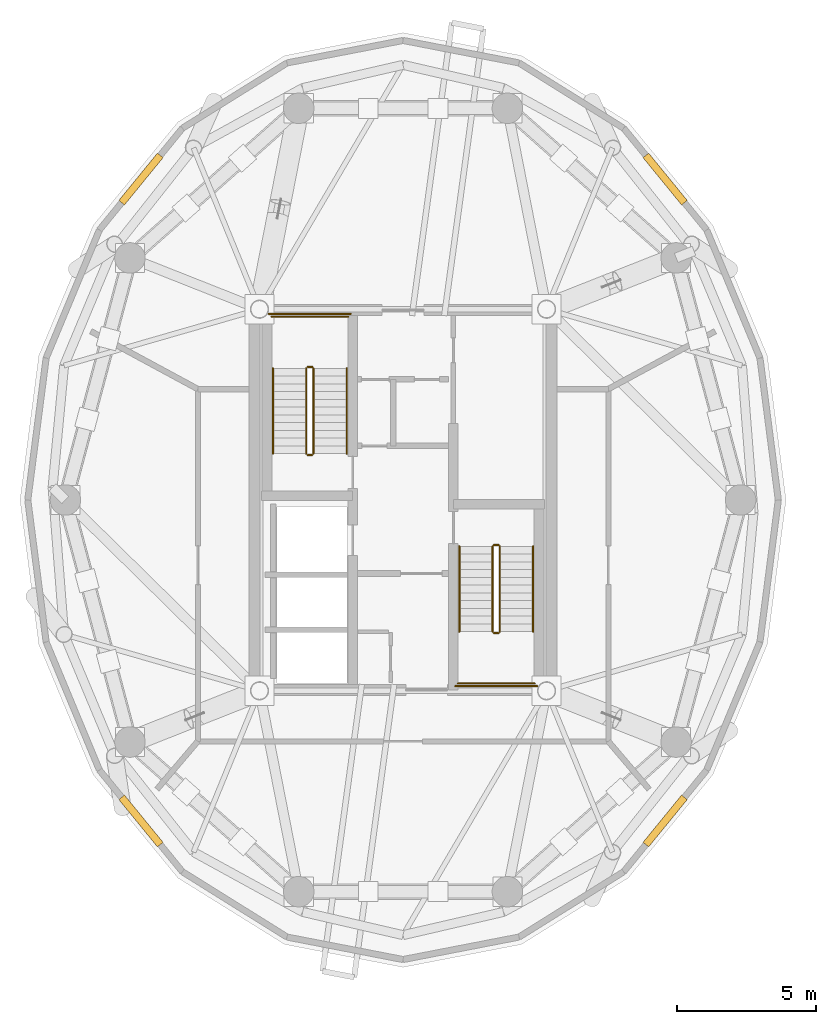
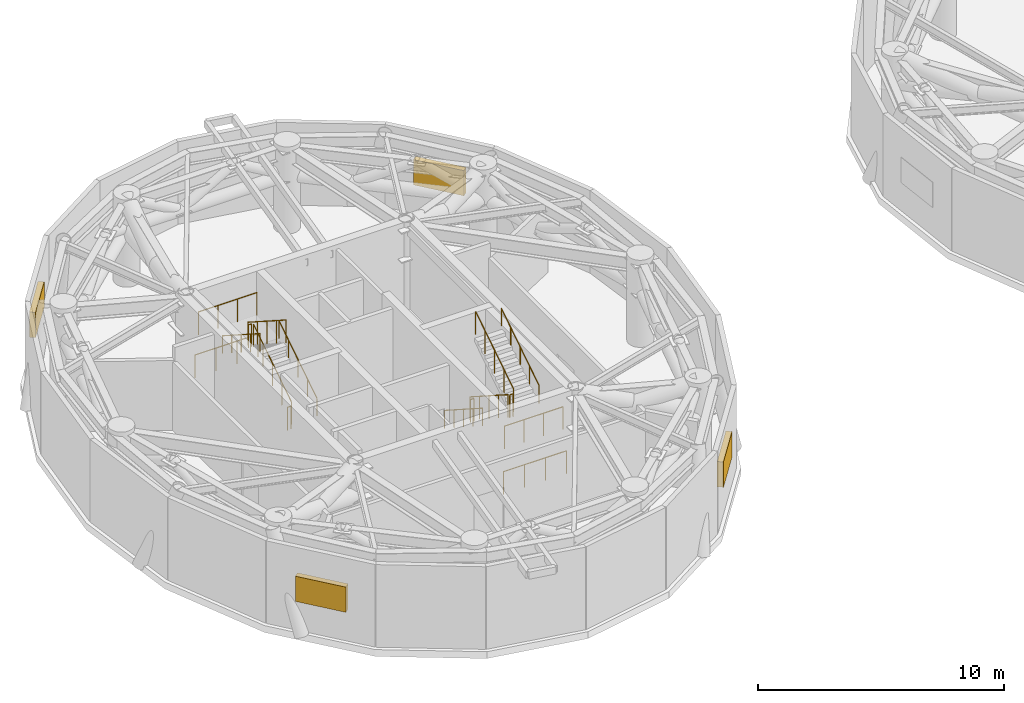
# One storey, part 12 of 14: 16 railings, 4 coverings.
"""IFC4 building model written with IfcOpenShell, lengths in metres."""

from ifc_helpers import new_model, si_unit, direction, frame, origin, origin_2d, place, context, subcontext, project, spatial, rectangle, circle, extrude, source, transform, mapped, material, type_object, element, save


model = new_model("IFC4")

# Units and contexts
model_context = context("Model", 3, precision=1e-05, world=origin(), true_north=direction((0.0, 1.0)))
body_context = subcontext(model_context, "Body", "Model", "MODEL_VIEW")
ifc_project = project(units=[si_unit("LENGTHUNIT", "METRE"), si_unit("AREAUNIT", "SQUARE_METRE"), si_unit("VOLUMEUNIT", "CUBIC_METRE"), si_unit("PLANEANGLEUNIT", "RADIAN"), si_unit("MASSUNIT", "GRAM", prefix="KILO")], contexts=[model_context])

# Site, building, storey
site_placement = place(None, origin())
site = spatial("IfcSite", under=ifc_project, at=site_placement, CompositionType="ELEMENT")
building_placement = place(site_placement, origin())
building = spatial("IfcBuilding", under=site, at=building_placement, Name="Cununo Teusaquillo Station Towers", CompositionType="ELEMENT")
storey_placement = place(building_placement, frame((0.0, 0.0, 192.340087890625)))
storey = spatial("IfcBuildingStorey", under=building, at=storey_placement, Name="L61", CompositionType="ELEMENT", Elevation=192.340087890625)

# Railings
ifc_material_1 = material(Name="Steel EN 10025-2 S355J2", Category="steel")
railing_type_1 = type_object("IfcRailingType", Name="RL-INT-GUARD", PredefinedType="GUARDRAIL", material=ifc_material_1)
railing_1_placement = place(storey_placement, frame((13.27001953125, 26.169921875, 0.179931640625)))
element("IfcRailing", 1, at=railing_1_placement, inside=storey, type_object=railing_type_1, Name="L61 ST-T1-1 stair guard 1", PredefinedType="GUARDRAIL", context=body_context, shape_type="SweptSolid", body=[
    extrude(circle(Radius=0.02392578125, at=origin_2d()), frame((0.0, 0.0, 1.1259765625), z_axis=(0.0, 0.84118714077, 0.540744111576), x_axis=(-1.0, 0.0, 0.0)), (0.0, 0.0, 1.0), 3.66162109375),
    extrude(circle(Radius=0.02099609375, at=origin_2d()), origin(), (0.0, 0.0, 1.0), 1.101806640625),
    extrude(circle(Radius=0.02099609375, at=origin_2d()), frame((0.0, 0.77001953125, 0.4951171875)), (0.0, 0.0, 1.0), 1.101806640625),
    extrude(circle(Radius=0.02099609375, at=origin_2d()), frame((0.0, 1.5400390625, 0.989990234375)), (0.0, 0.0, 1.0), 1.101806640625),
    extrude(circle(Radius=0.02099609375, at=origin_2d()), frame((0.0, 2.31005859375, 1.48486328125)), (0.0, 0.0, 1.0), 1.101806640625),
    extrude(circle(Radius=0.02099609375, at=origin_2d()), frame((0.0, 3.080078125, 1.97998046875)), (0.0, 0.0, 1.0), 1.101806640625),
])
railing_2_placement = place(storey_placement, frame((13.219970703125, 29.300048828125, 2.159912109375)))
element("IfcRailing", 2, at=railing_2_placement, inside=storey, type_object=railing_type_1, Name="L61 ST-T1-1 stair guard 2", PredefinedType="GUARDRAIL", context=body_context, shape_type="SweptSolid", body=[
    extrude(circle(Radius=0.02392578125, at=origin_2d()), frame((0.0, 0.0, 1.1259765625), z_axis=(-1.0, 0.0, 0.0), x_axis=(0.0, -1.0, 0.0)), (0.0, 0.0, 1.0), 0.159912109375),
    extrude(circle(Radius=0.02099609375, at=origin_2d()), origin(), (0.0, 0.0, 1.0), 1.101806640625),
    extrude(circle(Radius=0.02099609375, at=origin_2d()), frame((-0.159912109375, 0.0, 0.0)), (0.0, 0.0, 1.0), 1.101806640625),
])
railing_3_placement = place(storey_placement, frame((14.52001953125, 31.110107421875, 2.159912109375)))
element("IfcRailing", 3, at=railing_3_placement, inside=storey, type_object=railing_type_1, Name="L61 ST-T1-1 stair guard 3", PredefinedType="GUARDRAIL", context=body_context, shape_type="SweptSolid", body=[
    extrude(circle(Radius=0.02392578125, at=origin_2d()), frame((0.0, 0.0, 1.1259765625), z_axis=(-1.0, 0.0, 0.0), x_axis=(0.0, -1.0, 0.0)), (0.0, 0.0, 1.0), 2.760009765625),
    extrude(circle(Radius=0.02099609375, at=origin_2d()), origin(), (0.0, 0.0, 1.0), 1.101806640625),
    extrude(circle(Radius=0.02099609375, at=origin_2d()), frame((-0.919921875, 0.0, 0.0)), (0.0, 0.0, 1.0), 1.101806640625),
    extrude(circle(Radius=0.02099609375, at=origin_2d()), frame((-1.840087890625, 0.0, 0.0)), (0.0, 0.0, 1.0), 1.101806640625),
    extrude(circle(Radius=0.02099609375, at=origin_2d()), frame((-2.760009765625, 0.0, 0.0)), (0.0, 0.0, 1.0), 1.101806640625),
])
railing_4_placement = place(storey_placement, frame((13.010009765625, 29.25, 2.33984375)))
element("IfcRailing", 4, at=railing_4_placement, inside=storey, type_object=railing_type_1, Name="L61 ST-T1-1 stair guard 4", PredefinedType="GUARDRAIL", context=body_context, shape_type="SweptSolid", body=[
    extrude(circle(Radius=0.02392578125, at=origin_2d()), frame((0.0, 0.0, 1.1259765625), z_axis=(0.0, -0.84118714077, 0.540744111576), x_axis=(1.0, 0.0, 0.0)), (0.0, 0.0, 1.0), 3.66162109375),
    extrude(circle(Radius=0.02099609375, at=origin_2d()), origin(), (0.0, 0.0, 1.0), 1.101806640625),
    extrude(circle(Radius=0.02099609375, at=origin_2d()), frame((0.0, -0.77001953125, 0.4951171875)), (0.0, 0.0, 1.0), 1.101806640625),
    extrude(circle(Radius=0.02099609375, at=origin_2d()), frame((0.0, -1.5400390625, 0.989990234375)), (0.0, 0.0, 1.0), 1.101806640625),
    extrude(circle(Radius=0.02099609375, at=origin_2d()), frame((0.0, -2.31005859375, 1.48486328125)), (0.0, 0.0, 1.0), 1.101806640625),
    extrude(circle(Radius=0.02099609375, at=origin_2d()), frame((0.0, -3.080078125, 1.97998046875)), (0.0, 0.0, 1.0), 1.101806640625),
])
railing_5_placement = place(storey_placement, frame((13.219970703125, 26.1201171875, 0.0)))
element("IfcRailing", 5, at=railing_5_placement, inside=storey, type_object=railing_type_1, Name="L61 ST-T1-1 stair guard 5", PredefinedType="GUARDRAIL", context=body_context, shape_type="SweptSolid", body=[
    extrude(circle(Radius=0.02392578125, at=origin_2d()), frame((0.0, 0.0, 1.1259765625), z_axis=(-1.0, 0.0, 0.0), x_axis=(0.0, -1.0, 0.0)), (0.0, 0.0, 1.0), 0.159912109375),
    extrude(circle(Radius=0.02099609375, at=origin_2d()), origin(), (0.0, 0.0, 1.0), 1.101806640625),
    extrude(circle(Radius=0.02099609375, at=origin_2d()), frame((-0.159912109375, 0.0, 0.0)), (0.0, 0.0, 1.0), 1.101806640625),
])
railing_6_placement = place(storey_placement, frame((14.6201171875, 31.2099609375, 0.0)))
element("IfcRailing", 6, at=railing_6_placement, inside=storey, type_object=railing_type_1, Name="L61 ST-T1-1 stair guard 6", PredefinedType="GUARDRAIL", context=body_context, shape_type="SweptSolid", body=[
    extrude(circle(Radius=0.02392578125, at=origin_2d()), frame((0.0, 0.0, 1.1259765625), z_axis=(-1.0, 0.0, 0.0), x_axis=(0.0, -1.0, 0.0)), (0.0, 0.0, 1.0), 2.960205078125),
    extrude(circle(Radius=0.02099609375, at=origin_2d()), origin(), (0.0, 0.0, 1.0), 1.101806640625),
    extrude(circle(Radius=0.02099609375, at=origin_2d()), frame((-0.98681640625, 0.0, 0.0)), (0.0, 0.0, 1.0), 1.101806640625),
    extrude(circle(Radius=0.02099609375, at=origin_2d()), frame((-1.973388671875, 0.0, 0.0)), (0.0, 0.0, 1.0), 1.101806640625),
    extrude(circle(Radius=0.02099609375, at=origin_2d()), frame((-2.960205078125, 0.0, 0.0)), (0.0, 0.0, 1.0), 1.101806640625),
])
railing_7_placement = place(storey_placement, frame((19.72998046875, 22.830078125, 0.179931640625)))
element("IfcRailing", 7, at=railing_7_placement, inside=storey, type_object=railing_type_1, Name="L61 ST-T1-2 stair guard 1", PredefinedType="GUARDRAIL", context=body_context, shape_type="SweptSolid", body=[
    extrude(circle(Radius=0.02392578125, at=origin_2d()), frame((0.0, 0.0, 1.1259765625), z_axis=(0.0, -0.84118714077, 0.540744111576), x_axis=(1.0, 0.0, 0.0)), (0.0, 0.0, 1.0), 3.66162109375),
    extrude(circle(Radius=0.02099609375, at=origin_2d()), origin(), (0.0, 0.0, 1.0), 1.101806640625),
    extrude(circle(Radius=0.02099609375, at=origin_2d()), frame((0.0, -0.77001953125, 0.4951171875)), (0.0, 0.0, 1.0), 1.101806640625),
    extrude(circle(Radius=0.02099609375, at=origin_2d()), frame((0.0, -1.5400390625, 0.989990234375)), (0.0, 0.0, 1.0), 1.101806640625),
    extrude(circle(Radius=0.02099609375, at=origin_2d()), frame((0.0, -2.31005859375, 1.48486328125)), (0.0, 0.0, 1.0), 1.101806640625),
    extrude(circle(Radius=0.02099609375, at=origin_2d()), frame((0.0, -3.080078125, 1.97998046875)), (0.0, 0.0, 1.0), 1.101806640625),
])
railing_8_placement = place(storey_placement, frame((19.780029296875, 19.699951171875, 2.159912109375)))
element("IfcRailing", 8, at=railing_8_placement, inside=storey, type_object=railing_type_1, Name="L61 ST-T1-2 stair guard 2", PredefinedType="GUARDRAIL", context=body_context, shape_type="SweptSolid", body=[
    extrude(circle(Radius=0.02392578125, at=origin_2d()), frame((0.0, 0.0, 1.1259765625), z_axis=(1.0, 0.0, 0.0), x_axis=(0.0, 1.0, 0.0)), (0.0, 0.0, 1.0), 0.159912109375),
    extrude(circle(Radius=0.02099609375, at=origin_2d()), origin(), (0.0, 0.0, 1.0), 1.101806640625),
    extrude(circle(Radius=0.02099609375, at=origin_2d()), frame((0.159912109375, 0.0, 0.0)), (0.0, 0.0, 1.0), 1.101806640625),
])
railing_9_placement = place(storey_placement, frame((18.47998046875, 17.889892578125, 2.159912109375)))
element("IfcRailing", 9, at=railing_9_placement, inside=storey, type_object=railing_type_1, Name="L61 ST-T1-2 stair guard 3", PredefinedType="GUARDRAIL", context=body_context, shape_type="SweptSolid", body=[
    extrude(circle(Radius=0.02392578125, at=origin_2d()), frame((0.0, 0.0, 1.1259765625), z_axis=(1.0, 0.0, 0.0), x_axis=(0.0, 1.0, 0.0)), (0.0, 0.0, 1.0), 2.760009765625),
    extrude(circle(Radius=0.02099609375, at=origin_2d()), origin(), (0.0, 0.0, 1.0), 1.101806640625),
    extrude(circle(Radius=0.02099609375, at=origin_2d()), frame((0.919921875, 0.0, 0.0)), (0.0, 0.0, 1.0), 1.101806640625),
    extrude(circle(Radius=0.02099609375, at=origin_2d()), frame((1.840087890625, 0.0, 0.0)), (0.0, 0.0, 1.0), 1.101806640625),
    extrude(circle(Radius=0.02099609375, at=origin_2d()), frame((2.760009765625, 0.0, 0.0)), (0.0, 0.0, 1.0), 1.101806640625),
])
railing_10_placement = place(storey_placement, frame((19.989990234375, 19.75, 2.33984375)))
element("IfcRailing", 10, at=railing_10_placement, inside=storey, type_object=railing_type_1, Name="L61 ST-T1-2 stair guard 4", PredefinedType="GUARDRAIL", context=body_context, shape_type="SweptSolid", body=[
    extrude(circle(Radius=0.02392578125, at=origin_2d()), frame((0.0, 0.0, 1.1259765625), z_axis=(0.0, 0.84118714077, 0.540744111576), x_axis=(-1.0, 0.0, 0.0)), (0.0, 0.0, 1.0), 3.66162109375),
    extrude(circle(Radius=0.02099609375, at=origin_2d()), origin(), (0.0, 0.0, 1.0), 1.101806640625),
    extrude(circle(Radius=0.02099609375, at=origin_2d()), frame((0.0, 0.77001953125, 0.4951171875)), (0.0, 0.0, 1.0), 1.101806640625),
    extrude(circle(Radius=0.02099609375, at=origin_2d()), frame((0.0, 1.5400390625, 0.989990234375)), (0.0, 0.0, 1.0), 1.101806640625),
    extrude(circle(Radius=0.02099609375, at=origin_2d()), frame((0.0, 2.31005859375, 1.48486328125)), (0.0, 0.0, 1.0), 1.101806640625),
    extrude(circle(Radius=0.02099609375, at=origin_2d()), frame((0.0, 3.080078125, 1.97998046875)), (0.0, 0.0, 1.0), 1.101806640625),
])
railing_11_placement = place(storey_placement, frame((19.780029296875, 22.8798828125, 0.0)))
element("IfcRailing", 11, at=railing_11_placement, inside=storey, type_object=railing_type_1, Name="L61 ST-T1-2 stair guard 5", PredefinedType="GUARDRAIL", context=body_context, shape_type="SweptSolid", body=[
    extrude(circle(Radius=0.02392578125, at=origin_2d()), frame((0.0, 0.0, 1.1259765625), z_axis=(1.0, 0.0, 0.0), x_axis=(0.0, 1.0, 0.0)), (0.0, 0.0, 1.0), 0.159912109375),
    extrude(circle(Radius=0.02099609375, at=origin_2d()), origin(), (0.0, 0.0, 1.0), 1.101806640625),
    extrude(circle(Radius=0.02099609375, at=origin_2d()), frame((0.159912109375, 0.0, 0.0)), (0.0, 0.0, 1.0), 1.101806640625),
])
railing_12_placement = place(storey_placement, frame((18.3798828125, 17.7900390625, 0.0)))
element("IfcRailing", 12, at=railing_12_placement, inside=storey, type_object=railing_type_1, Name="L61 ST-T1-2 stair guard 6", PredefinedType="GUARDRAIL", context=body_context, shape_type="SweptSolid", body=[
    extrude(circle(Radius=0.02392578125, at=origin_2d()), frame((0.0, 0.0, 1.1259765625), z_axis=(1.0, 0.0, 0.0), x_axis=(0.0, 1.0, 0.0)), (0.0, 0.0, 1.0), 2.960205078125),
    extrude(circle(Radius=0.02099609375, at=origin_2d()), origin(), (0.0, 0.0, 1.0), 1.101806640625),
    extrude(circle(Radius=0.02099609375, at=origin_2d()), frame((0.98681640625, 0.0, 0.0)), (0.0, 0.0, 1.0), 1.101806640625),
    extrude(circle(Radius=0.02099609375, at=origin_2d()), frame((1.973388671875, 0.0, 0.0)), (0.0, 0.0, 1.0), 1.101806640625),
    extrude(circle(Radius=0.02099609375, at=origin_2d()), frame((2.960205078125, 0.0, 0.0)), (0.0, 0.0, 1.0), 1.101806640625),
])
ifc_material_2 = material(Name="Steel EN 10025-2 S355J2", Category="steel")
railing_type_2 = type_object("IfcRailingType", Name="RL-INT-HRAIL", PredefinedType="HANDRAIL", material=ifc_material_2)
railing_13_placement = place(storey_placement, frame((14.469970703125, 26.169921875, 0.179931640625)))
element("IfcRailing", 13, at=railing_13_placement, inside=storey, type_object=railing_type_2, Name="L61 ST-T1-1 stair handrail 1", PredefinedType="HANDRAIL", context=body_context, shape_type="SweptSolid", body=[
    extrude(circle(Radius=0.02392578125, at=origin_2d()), frame((0.0, 0.0, 0.8759765625), z_axis=(0.0, 0.84118714077, 0.540744111576), x_axis=(-1.0, 0.0, 0.0)), (0.0, 0.0, 1.0), 3.66162109375),
    extrude(circle(Radius=0.02099609375, at=origin_2d()), origin(), (0.0, 0.0, 1.0), 0.851806640625),
    extrude(circle(Radius=0.02099609375, at=origin_2d()), frame((0.0, 0.77001953125, 0.4951171875)), (0.0, 0.0, 1.0), 0.851806640625),
    extrude(circle(Radius=0.02099609375, at=origin_2d()), frame((0.0, 1.5400390625, 0.989990234375)), (0.0, 0.0, 1.0), 0.851806640625),
    extrude(circle(Radius=0.02099609375, at=origin_2d()), frame((0.0, 2.31005859375, 1.48486328125)), (0.0, 0.0, 1.0), 0.851806640625),
    extrude(circle(Radius=0.02099609375, at=origin_2d()), frame((0.0, 3.080078125, 1.97998046875)), (0.0, 0.0, 1.0), 0.851806640625),
])
for number, where, name in (
    (14, (11.81005859375, 29.25, 2.33984375), "L61 ST-T1-1 stair handrail 2"),
    (15, (18.530029296875, 22.830078125, 0.179931640625), "L61 ST-T1-2 stair handrail 1"),
):
    element("IfcRailing", number, at=place(storey_placement, frame(where)), inside=storey, type_object=railing_type_2, Name=name, PredefinedType="HANDRAIL", context=body_context, shape_type="SweptSolid", body=[
        extrude(circle(Radius=0.02392578125, at=origin_2d()), frame((0.0, 0.0, 0.8759765625), z_axis=(0.0, -0.84118714077, 0.540744111576), x_axis=(1.0, 0.0, 0.0)), (0.0, 0.0, 1.0), 3.66162109375),
        extrude(circle(Radius=0.02099609375, at=origin_2d()), origin(), (0.0, 0.0, 1.0), 0.851806640625),
        extrude(circle(Radius=0.02099609375, at=origin_2d()), frame((0.0, -0.77001953125, 0.4951171875)), (0.0, 0.0, 1.0), 0.851806640625),
        extrude(circle(Radius=0.02099609375, at=origin_2d()), frame((0.0, -1.5400390625, 0.989990234375)), (0.0, 0.0, 1.0), 0.851806640625),
        extrude(circle(Radius=0.02099609375, at=origin_2d()), frame((0.0, -2.31005859375, 1.48486328125)), (0.0, 0.0, 1.0), 0.851806640625),
        extrude(circle(Radius=0.02099609375, at=origin_2d()), frame((0.0, -3.080078125, 1.97998046875)), (0.0, 0.0, 1.0), 0.851806640625),
    ])
railing_14_placement = place(storey_placement, frame((21.18994140625, 19.75, 2.33984375)))
element("IfcRailing", 16, at=railing_14_placement, inside=storey, type_object=railing_type_2, Name="L61 ST-T1-2 stair handrail 2", PredefinedType="HANDRAIL", context=body_context, shape_type="SweptSolid", body=[
    extrude(circle(Radius=0.02392578125, at=origin_2d()), frame((0.0, 0.0, 0.8759765625), z_axis=(0.0, 0.84118714077, 0.540744111576), x_axis=(-1.0, 0.0, 0.0)), (0.0, 0.0, 1.0), 3.66162109375),
    extrude(circle(Radius=0.02099609375, at=origin_2d()), origin(), (0.0, 0.0, 1.0), 0.851806640625),
    extrude(circle(Radius=0.02099609375, at=origin_2d()), frame((0.0, 0.77001953125, 0.4951171875)), (0.0, 0.0, 1.0), 0.851806640625),
    extrude(circle(Radius=0.02099609375, at=origin_2d()), frame((0.0, 1.5400390625, 0.989990234375)), (0.0, 0.0, 1.0), 0.851806640625),
    extrude(circle(Radius=0.02099609375, at=origin_2d()), frame((0.0, 2.31005859375, 1.48486328125)), (0.0, 0.0, 1.0), 0.851806640625),
    extrude(circle(Radius=0.02099609375, at=origin_2d()), frame((0.0, 3.080078125, 1.97998046875)), (0.0, 0.0, 1.0), 0.851806640625),
])

# Coverings
ifc_material_3 = material(Name="Anodised dark bronze aluminium EN AW-6063-T6", Category="aluminium")
covering_type = type_object("IfcCoveringType", Name="COV-LOUVRE-ACOUSTIC", PredefinedType="USERDEFINED", material=ifc_material_3)
shared_shape = source(origin(), body_context, "Body", "SweptSolid", [
    extrude(rectangle(XDim=2.199951171875, YDim=0.260009765625, at=origin_2d()), origin(), (0.0, 0.0, 1.0), 1.25),
])
for number, where, z_axis, x_axis, name in (
    (17, (25.949951171875, 36.072509765625, 1.42236328125), (0.0, 0.0, 1.0), (0.632570161913, -0.774503060199, 0.0), "L61 Tower A Acoustic Plant Louvre C02"),
    (18, (7.0498046875, 36.072509765625, 1.42236328125), (0.0, 0.0, 1.0), (0.632570161913, 0.774503060199, 0.0), "L61 Tower A Acoustic Plant Louvre C07"),
    (19, (7.0498046875, 12.927490234375, 1.42236328125), (0.0, 0.0, 1.0), (-0.632570161913, 0.774503060199, 0.0), "L61 Tower A Acoustic Plant Louvre C12"),
    (20, (25.949951171875, 12.927490234375, 1.42236328125), (0.0, 0.0, 1.0), (-0.632570161913, -0.774503060199, 0.0), "L61 Tower A Acoustic Plant Louvre C17"),
):
    element("IfcCovering", number, at=place(storey_placement, frame(where, z_axis=z_axis, x_axis=x_axis)), inside=storey, type_object=covering_type, Name=name, ObjectType="LOUVRE", PredefinedType="USERDEFINED", context=body_context, shape_type="MappedRepresentation", body=[
        mapped(shared_shape, transform((0.0, 0.0, 0.0), x_axis=(1.0, 0.0, 0.0), y_axis=(0.0, 1.0, 0.0), z_axis=(0.0, 0.0, 1.0), scale=1.0)),
    ])

save(model, "model.ifc")
